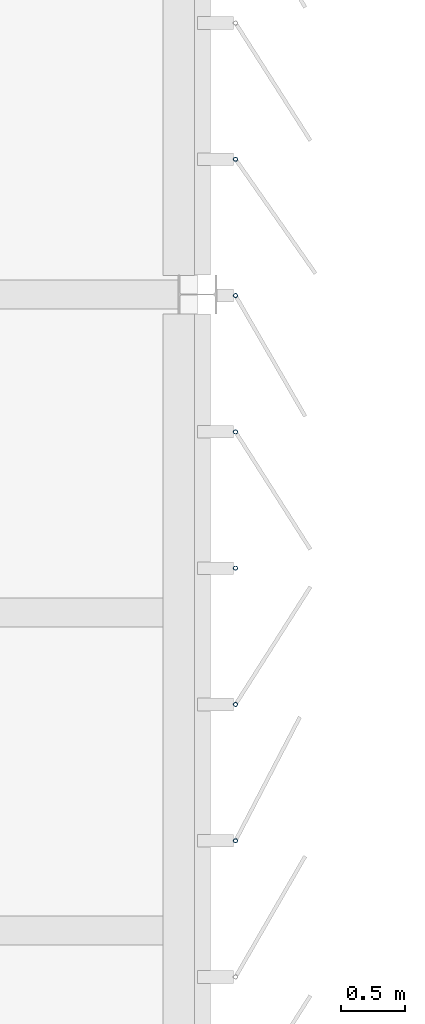
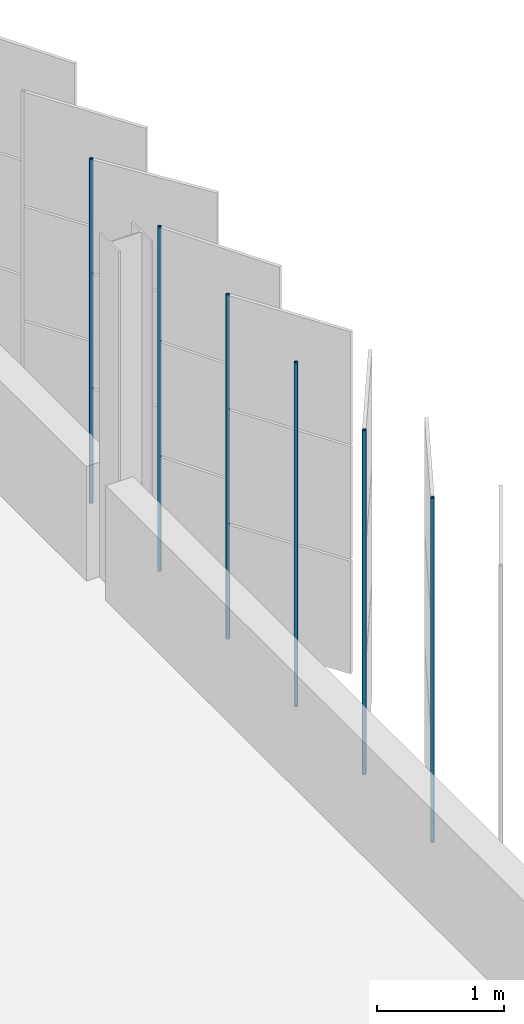
# One storey, part 97 of 199: 6 discrete accessories.
"""IFC4 building model written with IfcOpenShell, lengths in metres."""

from ifc_helpers import new_model, si_unit, direction, frame, origin, origin_2d, place, context, subcontext, project, spatial, hollow_circle, extrude, material, material_profile, profile_set, type_object, element, save


model = new_model("IFC4")

# Units and contexts
model_context = context("Model", 3, precision=1e-05, world=origin(), true_north=direction((0.0, 1.0)))
body_context = subcontext(model_context, "Body", "Model", "MODEL_VIEW")
ifc_project = project(units=[si_unit("LENGTHUNIT", "METRE"), si_unit("AREAUNIT", "SQUARE_METRE"), si_unit("VOLUMEUNIT", "CUBIC_METRE"), si_unit("PLANEANGLEUNIT", "RADIAN"), si_unit("MASSUNIT", "GRAM", prefix="KILO")], contexts=[model_context])

# Site, building, storey
site_placement = place(None, origin())
site = spatial("IfcSite", under=ifc_project, at=site_placement, CompositionType="ELEMENT")
building_placement = place(site_placement, origin())
building = spatial("IfcBuilding", under=site, at=building_placement, Name="Parallax Yard Mobility Hub", CompositionType="ELEMENT")
storey_placement = place(building_placement, frame((0.0, 0.0, 9.89990234375)))
storey = spatial("IfcBuildingStorey", under=building, at=storey_placement, Name="L03", CompositionType="ELEMENT", Elevation=9.89990234375)

# Discrete accessories
ifc_material = material(Name="Steel ASTM A500 Gr C, hot-dip galvanised", Category="steel")
ifc_material_profile = material_profile(ifc_material, hollow_circle(Radius=0.016845703125, WallThickness=0.003173828125, at=origin_2d()), Name="CHS 33.7x3.2")
ifc_profile_set = profile_set([ifc_material_profile], Name="Steel ASTM A500 Gr C, hot-dip galvanised")
discrete_accessory_type = type_object("IfcDiscreteAccessoryType", Name="Hinge post CHS 33.7x3.2", PredefinedType="BRACKET", material=ifc_profile_set)
for number, where, z_axis, x_axis, name in (
    (1, (225.300048828125, 48.204833984375, 0.0), (0.0, 0.0, 1.0), (1.0, 0.0, 0.0), "Hinge post bay 35.4 level L03"),
    (2, (225.300048828125, 49.276611328125, 0.0), (0.0, 0.0, 1.0), (1.0, 0.0, 0.0), "Hinge post bay 35.5 level L03"),
    (3, (225.300048828125, 50.348388671875, 0.0), (0.0, 0.0, 1.0), (1.0, 0.0, 0.0), "Hinge post bay 35.6 level L03"),
    (4, (225.300048828125, 51.420166015625, 0.0), (0.0, 0.0, 1.0), (1.0, 0.0, 0.0), "Hinge post bay 35.7 level L03"),
    (5, (225.300048828125, 52.491943359375, 0.0), (0.0, 0.0, 1.0), (1.0, 0.0, 0.0), "Hinge post bay 36.1 level L03"),
    (6, (225.300048828125, 53.563720703125, 0.0), (0.0, 0.0, 1.0), (1.0, 0.0, 0.0), "Hinge post bay 36.2 level L03"),
):
    element("IfcDiscreteAccessory", number, at=place(storey_placement, frame(where, z_axis=z_axis, x_axis=x_axis)), inside=storey, type_object=discrete_accessory_type, Name=name, PredefinedType="BRACKET", context=body_context, shape_type="SweptSolid", body=[
        extrude(hollow_circle(Radius=0.016845703125, WallThickness=0.003173828125, at=origin_2d()), origin(), (0.0, 0.0, 1.0), 3.300048828125),
    ])

save(model, "model.ifc")
